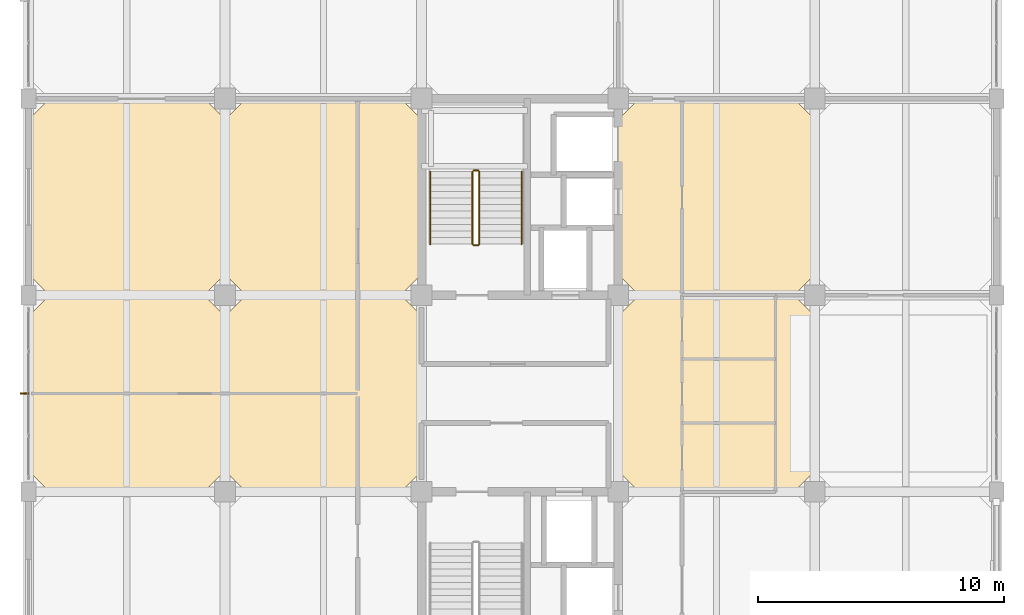
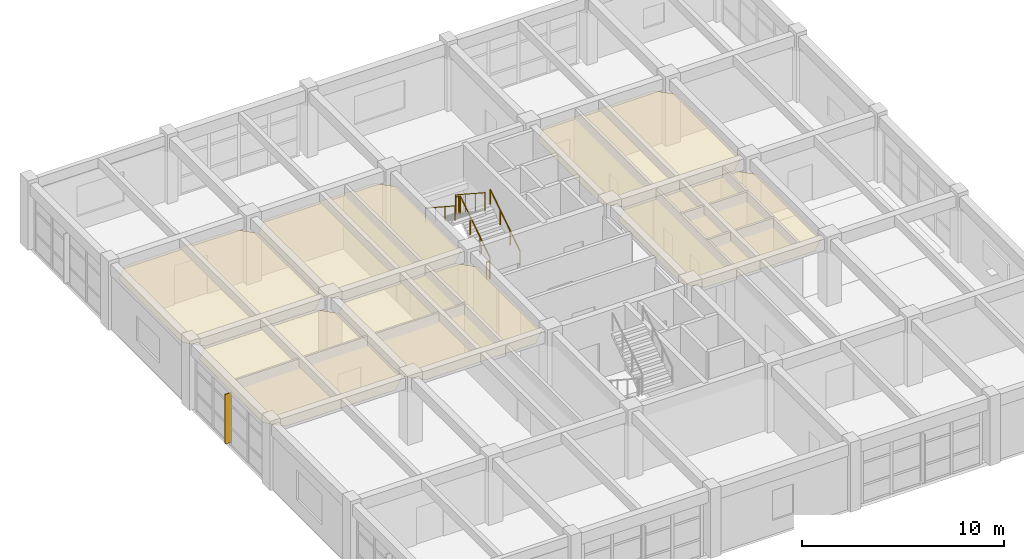
# One storey, part 25 of 27: 6 coverings, 6 railings, 1 shading device.
"""IFC4 building model written with IfcOpenShell, lengths in metres."""

from ifc_helpers import new_model, si_unit, direction, frame, origin, origin_2d, place, context, subcontext, project, spatial, polyline, rectangle, circle, outline, extrude, material, layer, layer_set, type_object, element, save


model = new_model("IFC4")

# Units and contexts
model_context = context("Model", 3, precision=1e-05, world=origin(), true_north=direction((0.0, 1.0)))
body_context = subcontext(model_context, "Body", "Model", "MODEL_VIEW")
ifc_project = project(units=[si_unit("LENGTHUNIT", "METRE"), si_unit("AREAUNIT", "SQUARE_METRE"), si_unit("VOLUMEUNIT", "CUBIC_METRE"), si_unit("PLANEANGLEUNIT", "RADIAN"), si_unit("MASSUNIT", "GRAM", prefix="KILO")], contexts=[model_context])

# Site, building, storey
site_placement = place(None, origin())
site = spatial("IfcSite", under=ifc_project, at=site_placement, CompositionType="ELEMENT")
building_placement = place(site_placement, origin())
building = spatial("IfcBuilding", under=site, at=building_placement, Name="Canggui Botanical Conservatory", CompositionType="ELEMENT")
storey_placement = place(building_placement, frame((0.0, 0.0, 31.800048828125)))
storey = spatial("IfcBuildingStorey", under=building, at=storey_placement, Name="L08", CompositionType="ELEMENT", Elevation=31.800048828125)

# Coverings
ifc_material_1 = material(Name="Mineral Fibre Acoustic Board")
ifc_layer_1 = layer(ifc_material_1, 0.014892578125, Name="Mineral Fibre Acoustic Board")
ifc_layer_set_1 = layer_set([ifc_layer_1], Name="Mineral Fibre Acoustic Board")
covering_type_1 = type_object("IfcCoveringType", Name="COV-CEIL-15", PredefinedType="CEILING", material=ifc_layer_set_1)
covering_1_placement = place(storey_placement, frame((0.0, 0.0, 3.264892578125)))
element("IfcCovering", 1, at=covering_1_placement, inside=storey, type_object=covering_type_1, Name="Suspended Acoustic Ceiling L08-138-58", PredefinedType="CEILING", context=body_context, shape_type="SweptSolid", body=[
    extrude(outline(polyline([(138.85009765625, 58.0), (145.14990234375, 58.0), (146.0, 58.85009765625), (146.0, 65.14990234375), (145.14990234375, 66.0), (138.85009765625, 66.0), (138.0, 65.14990234375), (138.0, 58.85009765625), (138.85009765625, 58.0)])), origin(), (0.0, 0.0, 1.0), 0.01513671875),
])
covering_2_placement = place(storey_placement, frame((0.0, 0.0, 3.264892578125)))
element("IfcCovering", 2, at=covering_2_placement, inside=storey, type_object=covering_type_1, Name="Suspended Acoustic Ceiling L08-146-50", PredefinedType="CEILING", context=body_context, shape_type="SweptSolid", body=[
    extrude(outline(polyline([(146.85009765625, 50.0), (153.14990234375, 50.0), (154.0, 50.85009765625), (154.0, 57.14990234375), (153.14990234375, 58.0), (146.85009765625, 58.0), (146.0, 57.14990234375), (146.0, 50.85009765625), (146.85009765625, 50.0)])), origin(), (0.0, 0.0, 1.0), 0.01513671875),
])
covering_3_placement = place(storey_placement, frame((0.0, 0.0, 3.264892578125)))
element("IfcCovering", 3, at=covering_3_placement, inside=storey, type_object=covering_type_1, Name="Suspended Acoustic Ceiling L08-162-50", PredefinedType="CEILING", context=body_context, shape_type="SweptSolid", body=[
    extrude(outline(polyline([(162.85009765625, 50.0), (169.14990234375, 50.0), (170.0, 50.85009765625), (170.0, 57.14990234375), (169.14990234375, 58.0), (162.85009765625, 58.0), (162.0, 57.14990234375), (162.0, 50.85009765625), (162.85009765625, 50.0)])), origin(), (0.0, 0.0, 1.0), 0.01513671875),
])
ifc_material_2 = material(Name="Perforated Gypsum Acoustic Panel")
ifc_layer_2 = layer(ifc_material_2, 0.02001953125, Name="Perforated Gypsum Acoustic Panel")
ifc_layer_set_2 = layer_set([ifc_layer_2], Name="Perforated Gypsum Acoustic Panel")
covering_type_2 = type_object("IfcCoveringType", Name="COV-CEIL-20", PredefinedType="CEILING", material=ifc_layer_set_2)
covering_4_placement = place(storey_placement, frame((0.0, 0.0, 3.260009765625)))
element("IfcCovering", 4, at=covering_4_placement, inside=storey, type_object=covering_type_2, Name="Suspended Acoustic Ceiling L08-138-50", PredefinedType="CEILING", context=body_context, shape_type="SweptSolid", body=[
    extrude(outline(polyline([(138.85009765625, 50.0), (145.14990234375, 50.0), (146.0, 50.85009765625), (146.0, 57.14990234375), (145.14990234375, 58.0), (138.85009765625, 58.0), (138.0, 57.14990234375), (138.0, 50.85009765625), (138.85009765625, 50.0)])), origin(), (0.0, 0.0, 1.0), 0.02001953125),
])
covering_5_placement = place(storey_placement, frame((0.0, 0.0, 3.260009765625)))
element("IfcCovering", 5, at=covering_5_placement, inside=storey, type_object=covering_type_2, Name="Suspended Acoustic Ceiling L08-146-58", PredefinedType="CEILING", context=body_context, shape_type="SweptSolid", body=[
    extrude(outline(polyline([(146.85009765625, 58.0), (153.14990234375, 58.0), (154.0, 58.85009765625), (154.0, 65.14990234375), (153.14990234375, 66.0), (146.85009765625, 66.0), (146.0, 65.14990234375), (146.0, 58.85009765625), (146.85009765625, 58.0)])), origin(), (0.0, 0.0, 1.0), 0.02001953125),
])
covering_6_placement = place(storey_placement, frame((0.0, 0.0, 3.260009765625)))
element("IfcCovering", 6, at=covering_6_placement, inside=storey, type_object=covering_type_2, Name="Suspended Acoustic Ceiling L08-162-58", PredefinedType="CEILING", context=body_context, shape_type="SweptSolid", body=[
    extrude(outline(polyline([(162.85009765625, 58.0), (169.14990234375, 58.0), (170.0, 58.85009765625), (170.0, 65.14990234375), (169.14990234375, 66.0), (162.85009765625, 66.0), (162.0, 65.14990234375), (162.0, 58.85009765625), (162.85009765625, 58.0)])), origin(), (0.0, 0.0, 1.0), 0.02001953125),
])

# Railings
ifc_material_3 = material(Name="Stainless Steel 304", Category="steel")
railing_type_1 = type_object("IfcRailingType", Name="RAIL-GUARD-1100", PredefinedType="BALUSTRADE", material=ifc_material_3)
railing_1_placement = place(storey_placement, frame((156.35009765625, 60.080078125, 0.175048828125)))
element("IfcRailing", 7, at=railing_1_placement, inside=storey, type_object=railing_type_1, Name="L08 ST-T2 stair guard 1", PredefinedType="BALUSTRADE", context=body_context, shape_type="SweptSolid", body=[
    extrude(circle(Radius=0.02392578125, at=origin_2d()), frame((0.0, 0.0, 1.076171875), z_axis=(0.0, 0.837324922549, 0.546705564338), x_axis=(-1.0, 0.0, 0.0)), (0.0, 0.0, 1.0), 3.520751953125),
    extrude(circle(Radius=0.02099609375, at=origin_2d()), origin(), (0.0, 0.0, 1.0), 1.052001953125),
    extrude(circle(Radius=0.02099609375, at=origin_2d()), frame((0.0, 0.982666015625, 0.6416015625)), (0.0, 0.0, 1.0), 1.052001953125),
    extrude(circle(Radius=0.02099609375, at=origin_2d()), frame((0.0, 1.96533203125, 1.283203125)), (0.0, 0.0, 1.0), 1.052001953125),
    extrude(circle(Radius=0.02099609375, at=origin_2d()), frame((0.0, 2.947998046875, 1.9248046875)), (0.0, 0.0, 1.0), 1.052001953125),
])
railing_2_placement = place(storey_placement, frame((156.300048828125, 63.077880859375, 2.099853515625)))
element("IfcRailing", 8, at=railing_2_placement, inside=storey, type_object=railing_type_1, Name="L08 ST-T2 stair guard 2", PredefinedType="BALUSTRADE", context=body_context, shape_type="SweptSolid", body=[
    extrude(circle(Radius=0.02392578125, at=origin_2d()), frame((0.0, 0.0, 1.076171875), z_axis=(-1.0, 0.0, 0.0), x_axis=(0.0, -1.0, 0.0)), (0.0, 0.0, 1.0), 0.179931640625),
    extrude(circle(Radius=0.02099609375, at=origin_2d()), origin(), (0.0, 0.0, 1.0), 1.052001953125),
    extrude(circle(Radius=0.02099609375, at=origin_2d()), frame((-0.179931640625, 0.0, 0.0)), (0.0, 0.0, 1.0), 1.052001953125),
])
railing_3_placement = place(storey_placement, frame((156.070068359375, 63.028076171875, 2.27490234375)))
element("IfcRailing", 9, at=railing_3_placement, inside=storey, type_object=railing_type_1, Name="L08 ST-T2 stair guard 3", PredefinedType="BALUSTRADE", context=body_context, shape_type="SweptSolid", body=[
    extrude(circle(Radius=0.02392578125, at=origin_2d()), frame((0.0, 0.0, 1.076171875), z_axis=(0.0, -0.837293178872, 0.54675417933), x_axis=(1.0, 0.0, 0.0)), (0.0, 0.0, 1.0), 3.520751953125),
    extrude(circle(Radius=0.02099609375, at=origin_2d()), origin(), (0.0, 0.0, 1.0), 1.052001953125),
    extrude(circle(Radius=0.02099609375, at=origin_2d()), frame((0.0, -0.982666015625, 0.6416015625)), (0.0, 0.0, 1.0), 1.052001953125),
    extrude(circle(Radius=0.02099609375, at=origin_2d()), frame((0.0, -1.96533203125, 1.283447265625)), (0.0, 0.0, 1.0), 1.052001953125),
    extrude(circle(Radius=0.02099609375, at=origin_2d()), frame((0.0, -2.947998046875, 1.925048828125)), (0.0, 0.0, 1.0), 1.052001953125),
])
railing_4_placement = place(storey_placement, frame((156.300048828125, 60.030029296875, 0.0)))
element("IfcRailing", 10, at=railing_4_placement, inside=storey, type_object=railing_type_1, Name="L08 ST-T2 stair guard 4", PredefinedType="BALUSTRADE", context=body_context, shape_type="SweptSolid", body=[
    extrude(circle(Radius=0.02392578125, at=origin_2d()), frame((0.0, 0.0, 1.076171875), z_axis=(-1.0, 0.0, 0.0), x_axis=(0.0, -1.0, 0.0)), (0.0, 0.0, 1.0), 0.179931640625),
    extrude(circle(Radius=0.02099609375, at=origin_2d()), origin(), (0.0, 0.0, 1.0), 1.052001953125),
    extrude(circle(Radius=0.02099609375, at=origin_2d()), frame((-0.179931640625, 0.0, 0.0)), (0.0, 0.0, 1.0), 1.052001953125),
])
railing_type_2 = type_object("IfcRailingType", Name="RAIL-HAND-900", PredefinedType="HANDRAIL", material=ifc_material_3)
railing_5_placement = place(storey_placement, frame((158.070068359375, 60.080078125, 0.175048828125)))
element("IfcRailing", 11, at=railing_5_placement, inside=storey, type_object=railing_type_2, Name="L08 ST-T2 stair handrail 1", PredefinedType="HANDRAIL", context=body_context, shape_type="SweptSolid", body=[
    extrude(circle(Radius=0.02392578125, at=origin_2d()), frame((0.0, 0.0, 0.8759765625), z_axis=(0.0, 0.837324922549, 0.546705564338), x_axis=(-1.0, 0.0, 0.0)), (0.0, 0.0, 1.0), 3.520751953125),
    extrude(circle(Radius=0.02099609375, at=origin_2d()), origin(), (0.0, 0.0, 1.0), 0.851806640625),
    extrude(circle(Radius=0.02099609375, at=origin_2d()), frame((0.0, 0.982666015625, 0.6416015625)), (0.0, 0.0, 1.0), 0.851806640625),
    extrude(circle(Radius=0.02099609375, at=origin_2d()), frame((0.0, 1.96533203125, 1.283203125)), (0.0, 0.0, 1.0), 0.851806640625),
    extrude(circle(Radius=0.02099609375, at=origin_2d()), frame((0.0, 2.947998046875, 1.9248046875)), (0.0, 0.0, 1.0), 0.851806640625),
])
railing_6_placement = place(storey_placement, frame((154.35009765625, 63.028076171875, 2.27490234375)))
element("IfcRailing", 12, at=railing_6_placement, inside=storey, type_object=railing_type_2, Name="L08 ST-T2 stair handrail 2", PredefinedType="HANDRAIL", context=body_context, shape_type="SweptSolid", body=[
    extrude(circle(Radius=0.02392578125, at=origin_2d()), frame((0.0, 0.0, 0.8759765625), z_axis=(0.0, -0.837293178872, 0.54675417933), x_axis=(1.0, 0.0, 0.0)), (0.0, 0.0, 1.0), 3.520751953125),
    extrude(circle(Radius=0.02099609375, at=origin_2d()), origin(), (0.0, 0.0, 1.0), 0.851806640625),
    extrude(circle(Radius=0.02099609375, at=origin_2d()), frame((0.0, -0.982666015625, 0.6416015625)), (0.0, 0.0, 1.0), 0.851806640625),
    extrude(circle(Radius=0.02099609375, at=origin_2d()), frame((0.0, -1.96533203125, 1.283447265625)), (0.0, 0.0, 1.0), 0.851806640625),
    extrude(circle(Radius=0.02099609375, at=origin_2d()), frame((0.0, -2.947998046875, 1.925048828125)), (0.0, 0.0, 1.0), 0.851806640625),
])

# Shading device
ifc_material_4 = material(Name="Anodised Aluminium", Category="aluminium")
shading_device_type = type_object("IfcShadingDeviceType", Name="SHD-FIN02", PredefinedType="AWNING", material=ifc_material_4)
shading_device_placement = place(storey_placement, frame((137.8349609375, 54.0, 0.199951171875), z_axis=(0.0, 0.0, 1.0), x_axis=(0.0, 1.0, 0.0)))
element("IfcShadingDevice", 13, at=shading_device_placement, inside=storey, type_object=shading_device_type, Name="Solar Shading Fin CW-TWR-L08-08", PredefinedType="AWNING", context=body_context, shape_type="SweptSolid", body=[
    extrude(rectangle(XDim=0.06005859375, YDim=0.360107421875, at=origin_2d()), origin(), (0.0, 0.0, 1.0), 3.0),
])

save(model, "model.ifc")
